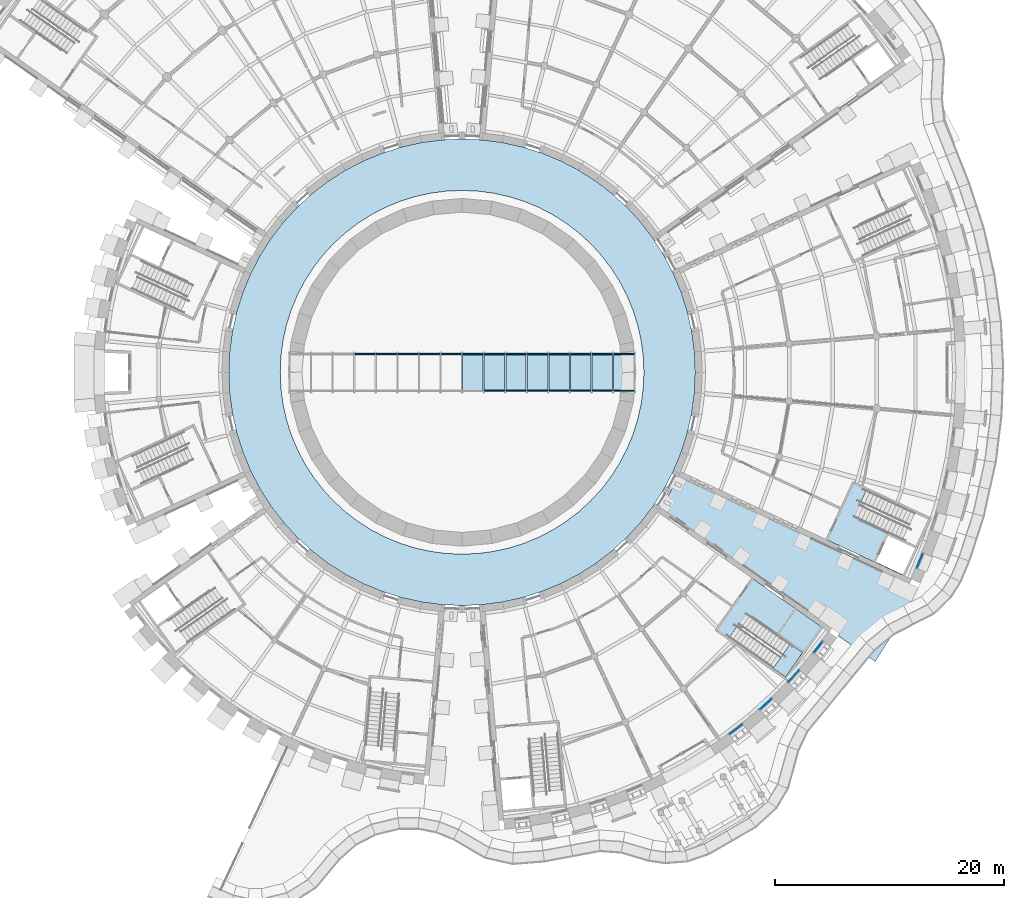
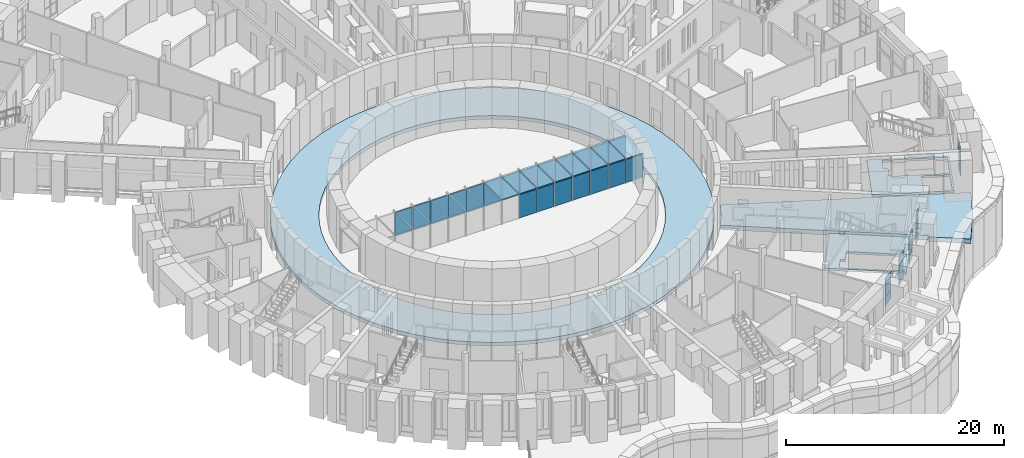
# One storey, part 34 of 85: 43 plates, 5 slabs, 7 elements without a shape of their own.
"""IFC4 building model written with IfcOpenShell, lengths in metres."""

from ifc_helpers import new_model, si_unit, direction, frame, origin, origin_2d, place, context, subcontext, project, spatial, polyline, rectangle, outline, extrude, material, layer, layer_set, type_object, element, aggregate, save


model = new_model("IFC4")

# Units and contexts
model_context = context("Model", 3, precision=1e-05, world=origin(), true_north=direction((0.0, 1.0)))
body_context = subcontext(model_context, "Body", "Model", "MODEL_VIEW")
ifc_project = project(units=[si_unit("LENGTHUNIT", "METRE"), si_unit("AREAUNIT", "SQUARE_METRE"), si_unit("VOLUMEUNIT", "CUBIC_METRE"), si_unit("PLANEANGLEUNIT", "RADIAN"), si_unit("MASSUNIT", "GRAM", prefix="KILO")], contexts=[model_context])

# Site, building, storey
site_placement = place(None, origin())
site = spatial("IfcSite", under=ifc_project, at=site_placement, CompositionType="ELEMENT")
building_placement = place(site_placement, origin())
building = spatial("IfcBuilding", under=site, at=building_placement, Name="Volute Hill Aquarium", CompositionType="ELEMENT")
storey_placement = place(building_placement, origin())
storey = spatial("IfcBuildingStorey", under=building, at=storey_placement, Name="L01", CompositionType="ELEMENT", Elevation=0.0)

# Slabs
ifc_material_1 = material(Name="Concrete C30/37", Category="concrete")
ifc_layer_1 = layer(ifc_material_1, 0.25)
ifc_layer_set_1 = layer_set([ifc_layer_1], Name="Core floor slab 250")
slab_type_1 = type_object("IfcSlabType", Name="Core floor slab 250", PredefinedType="FLOOR", material=ifc_layer_set_1)
slab_1_placement = place(storey_placement, frame((0.0, 0.0, -0.25)))
element("IfcSlab", 1, at=slab_1_placement, inside=storey, type_object=slab_type_1, Name="cs/S3-B/L01", PredefinedType="FLOOR", context=body_context, shape_type="SweptSolid", body=[
    extrude(outline(polyline([(22.10791015625, -22.560546875), (28.33349609375, -26.919921875), (31.54541015625, -22.33251953125), (25.320068359375, -17.973388671875), (22.10791015625, -22.560546875)]), holes=[polyline([(25.2294921875, -21.328125), (29.775634765625, -24.511474609375), (28.284423828125, -26.641357421875), (23.37109375, -23.200927734375), (24.11669921875, -22.135986328125), (24.483642578125, -22.39306640625), (25.2294921875, -21.328125)])]), origin(), (0.0, 0.0, 1.0), 0.25),
])
slab_2_placement = place(storey_placement, frame((0.0, 0.0, -0.25)))
element("IfcSlab", 2, at=slab_2_placement, inside=storey, type_object=slab_type_1, Name="cs/S4-A/L01", PredefinedType="FLOOR", context=body_context, shape_type="SweptSolid", body=[
    extrude(outline(polyline([(31.805419921875, -14.6103515625), (38.693115234375, -17.822265625), (41.059814453125, -12.7470703125), (34.172119140625, -9.53515625), (31.805419921875, -14.6103515625)]), holes=[polyline([(37.25439453125, -14.282470703125), (39.61083984375, -15.38134765625), (38.533203125, -17.6923828125), (36.1767578125, -16.593505859375), (37.25439453125, -14.282470703125)]), polyline([(35.214599609375, -11.676513671875), (34.80859375, -11.487060546875), (35.358154296875, -10.308837890625), (40.794189453125, -12.84375), (39.6953125, -15.2001953125), (34.665283203125, -12.8544921875), (35.214599609375, -11.676513671875)])]), origin(), (0.0, 0.0, 1.0), 0.25),
])

# Curtain wall, plates
ifc_material_2 = material(Name="Aluminium", Category="aluminium")
ifc_layer_2 = layer(ifc_material_2, 0.25)
ifc_layer_set_2 = layer_set([ifc_layer_2], Name="Curtain wall niche S3 module 1489")
curtain_wall_type_1 = type_object("IfcCurtainWallType", Name="Curtain wall niche S3 module 1489", PredefinedType="NOTDEFINED", material=ifc_layer_set_2)
curtain_wall_1_placement = place(storey_placement, origin())
curtain_wall_1 = element("IfcCurtainWall", 3, at=curtain_wall_1_placement, inside=storey, type_object=curtain_wall_type_1, Name="Curtain wall CW S3 L01 7", PredefinedType="NOTDEFINED")
ifc_material_3 = material(Name="Glass, low-iron laminated", Category="glass")
ifc_layer_3 = layer(ifc_material_3, 0.028076171875)
ifc_layer_set_3 = layer_set([ifc_layer_3], Name="Curtain wall glass panel S3 28")
plate_type_1 = type_object("IfcPlateType", Name="Curtain wall glass panel S3 28", PredefinedType="CURTAIN_PANEL", material=ifc_layer_set_3)
plate_1_placement = place(storey_placement, frame((23.947021484375, -31.208251953125, 0.81005859375), z_axis=(0.0, 0.0, 1.0), x_axis=(0.793364531663, 0.608746843851, 0.0)))
plate_1 = element("IfcPlate", 4, at=plate_1_placement, type_object=plate_type_1, Name="CW panel 1.1", PredefinedType="CURTAIN_PANEL", context=body_context, shape_type="SweptSolid", body=[
    extrude(rectangle(XDim=1.369140625, YDim=0.028076171875, at=origin_2d()), origin(), (0.0, 0.0, 1.0), 0.993408203125),
])
plate_2_placement = place(storey_placement, frame((23.947021484375, -31.208251953125, 1.86328125), z_axis=(0.0, 0.0, 1.0), x_axis=(0.793364531663, 0.608746843851, 0.0)))
plate_2 = element("IfcPlate", 5, at=plate_2_placement, type_object=plate_type_1, Name="CW panel 1.2", PredefinedType="CURTAIN_PANEL", context=body_context, shape_type="SweptSolid", body=[
    extrude(rectangle(XDim=1.369140625, YDim=0.028076171875, at=origin_2d()), origin(), (0.0, 0.0, 1.0), 1.0234375),
])
plate_3_placement = place(storey_placement, frame((23.947021484375, -31.208251953125, 2.94677734375), z_axis=(0.0, 0.0, 1.0), x_axis=(0.793364531663, 0.608746843851, 0.0)))
plate_3 = element("IfcPlate", 6, at=plate_3_placement, type_object=plate_type_1, Name="CW panel 1.3", PredefinedType="CURTAIN_PANEL", context=body_context, shape_type="SweptSolid", body=[
    extrude(rectangle(XDim=1.369140625, YDim=0.028076171875, at=origin_2d()), origin(), (0.0, 0.0, 1.0), 0.993408203125),
])
aggregate(curtain_wall_1, [plate_1, plate_2, plate_3])

curtain_wall_2_placement = place(storey_placement, origin())
curtain_wall_2 = element("IfcCurtainWall", 7, at=curtain_wall_2_placement, inside=storey, type_object=curtain_wall_type_1, Name="Curtain wall CW S3 L01 8", PredefinedType="NOTDEFINED")
plate_4_placement = place(storey_placement, frame((26.57568359375, -29.00244140625, 1.86328125), z_axis=(0.0, 0.0, 1.0), x_axis=(0.73725642731, 0.675613025622, 0.0)))
plate_4 = element("IfcPlate", 8, at=plate_4_placement, type_object=plate_type_1, Name="CW panel 1.2", PredefinedType="CURTAIN_PANEL", context=body_context, shape_type="SweptSolid", body=[
    extrude(rectangle(XDim=1.369140625, YDim=0.028076171875, at=origin_2d()), origin(), (0.0, 0.0, 1.0), 1.0234375),
])
plate_5_placement = place(storey_placement, frame((26.57568359375, -29.00244140625, 2.94677734375), z_axis=(0.0, 0.0, 1.0), x_axis=(0.73725642731, 0.675613025622, 0.0)))
plate_5 = element("IfcPlate", 9, at=plate_5_placement, type_object=plate_type_1, Name="CW panel 1.3", PredefinedType="CURTAIN_PANEL", context=body_context, shape_type="SweptSolid", body=[
    extrude(rectangle(XDim=1.369140625, YDim=0.028076171875, at=origin_2d()), origin(), (0.0, 0.0, 1.0), 0.993408203125),
])

curtain_wall_3_placement = place(storey_placement, origin())
curtain_wall_3 = element("IfcCurtainWall", 10, at=curtain_wall_3_placement, inside=storey, type_object=curtain_wall_type_1, Name="Curtain wall CW S3 L01 9", PredefinedType="NOTDEFINED")
plate_6_placement = place(storey_placement, frame((29.00244140625, -26.575927734375, 0.81005859375), z_axis=(0.0, 0.0, 1.0), x_axis=(0.675609375694, 0.737259772044, 0.0)))
plate_6 = element("IfcPlate", 11, at=plate_6_placement, type_object=plate_type_1, Name="CW panel 1.1", PredefinedType="CURTAIN_PANEL", context=body_context, shape_type="SweptSolid", body=[
    extrude(rectangle(XDim=1.369140625, YDim=0.028076171875, at=origin_2d()), origin(), (0.0, 0.0, 1.0), 0.993408203125),
])
plate_7_placement = place(storey_placement, frame((29.00244140625, -26.575927734375, 1.86328125), z_axis=(0.0, 0.0, 1.0), x_axis=(0.675609375694, 0.737259772044, 0.0)))
plate_7 = element("IfcPlate", 12, at=plate_7_placement, type_object=plate_type_1, Name="CW panel 1.2", PredefinedType="CURTAIN_PANEL", context=body_context, shape_type="SweptSolid", body=[
    extrude(rectangle(XDim=1.369140625, YDim=0.028076171875, at=origin_2d()), origin(), (0.0, 0.0, 1.0), 1.0234375),
])
plate_8_placement = place(storey_placement, frame((29.00244140625, -26.575927734375, 2.94677734375), z_axis=(0.0, 0.0, 1.0), x_axis=(0.675609375694, 0.737259772044, 0.0)))
plate_8 = element("IfcPlate", 13, at=plate_8_placement, type_object=plate_type_1, Name="CW panel 1.3", PredefinedType="CURTAIN_PANEL", context=body_context, shape_type="SweptSolid", body=[
    extrude(rectangle(XDim=1.369140625, YDim=0.028076171875, at=origin_2d()), origin(), (0.0, 0.0, 1.0), 0.993408203125),
])
aggregate(curtain_wall_3, [plate_6, plate_7, plate_8])

ifc_material_4 = material(Name="Aluminium", Category="aluminium")
ifc_layer_4 = layer(ifc_material_4, 0.25)
ifc_layer_set_4 = layer_set([ifc_layer_4], Name="Curtain wall niche S3 module 1289")
curtain_wall_type_2 = type_object("IfcCurtainWallType", Name="Curtain wall niche S3 module 1289", PredefinedType="NOTDEFINED", material=ifc_layer_set_4)
curtain_wall_4_placement = place(storey_placement, origin())
curtain_wall_4 = element("IfcCurtainWall", 14, at=curtain_wall_4_placement, inside=storey, type_object=curtain_wall_type_2, Name="Curtain wall CW S3 L01 10", PredefinedType="NOTDEFINED")
plate_9_placement = place(storey_placement, frame((31.1474609375, -24.0263671875, 1.86328125), z_axis=(0.0, 0.0, 1.0), x_axis=(0.608745324064, 0.79336569779, 0.0)))
plate_9 = element("IfcPlate", 15, at=plate_9_placement, type_object=plate_type_1, Name="CW panel 1.2", PredefinedType="CURTAIN_PANEL", context=body_context, shape_type="SweptSolid", body=[
    extrude(rectangle(XDim=1.169189453125, YDim=0.028076171875, at=origin_2d()), origin(), (0.0, 0.0, 1.0), 1.0234375),
])
plate_10_placement = place(storey_placement, frame((31.1474609375, -24.0263671875, 2.94677734375), z_axis=(0.0, 0.0, 1.0), x_axis=(0.608745324064, 0.79336569779, 0.0)))
plate_10 = element("IfcPlate", 16, at=plate_10_placement, type_object=plate_type_1, Name="CW panel 1.3", PredefinedType="CURTAIN_PANEL", context=body_context, shape_type="SweptSolid", body=[
    extrude(rectangle(XDim=1.169189453125, YDim=0.028076171875, at=origin_2d()), origin(), (0.0, 0.0, 1.0), 0.993408203125),
])

ifc_material_5 = material(Name="Aluminium", Category="aluminium")
ifc_layer_5 = layer(ifc_material_5, 0.25)
ifc_layer_set_5 = layer_set([ifc_layer_5], Name="Curtain wall niche S4 module 1437")
curtain_wall_type_3 = type_object("IfcCurtainWallType", Name="Curtain wall niche S4 module 1437", PredefinedType="NOTDEFINED", material=ifc_layer_set_5)
curtain_wall_5_placement = place(storey_placement, origin())
curtain_wall_5 = element("IfcCurtainWall", 17, at=curtain_wall_5_placement, inside=storey, type_object=curtain_wall_type_3, Name="Curtain wall CW S4 L01 1", PredefinedType="NOTDEFINED")
ifc_material_6 = material(Name="Glass, low-iron laminated", Category="glass")
ifc_layer_6 = layer(ifc_material_6, 0.028076171875)
ifc_layer_set_6 = layer_set([ifc_layer_6], Name="Curtain wall glass panel S4 28")
plate_type_2 = type_object("IfcPlateType", Name="Curtain wall glass panel S4 28", PredefinedType="CURTAIN_PANEL", material=ifc_layer_set_6)
plate_11_placement = place(storey_placement, frame((40.027099609375, -16.471435546875, 0.81005859375), z_axis=(0.0, 0.0, 1.0), x_axis=(0.38269714514, 0.923873852375, 0.0)))
plate_11 = element("IfcPlate", 18, at=plate_11_placement, type_object=plate_type_2, Name="CW panel 1.1", PredefinedType="CURTAIN_PANEL", context=body_context, shape_type="SweptSolid", body=[
    extrude(rectangle(XDim=1.317138671875, YDim=0.028076171875, at=origin_2d()), origin(), (0.0, 0.0, 1.0), 0.993408203125),
])
plate_12_placement = place(storey_placement, frame((40.027099609375, -16.471435546875, 1.86328125), z_axis=(0.0, 0.0, 1.0), x_axis=(0.38269714514, 0.923873852375, 0.0)))
plate_12 = element("IfcPlate", 19, at=plate_12_placement, type_object=plate_type_2, Name="CW panel 1.2", PredefinedType="CURTAIN_PANEL", context=body_context, shape_type="SweptSolid", body=[
    extrude(rectangle(XDim=1.317138671875, YDim=0.028076171875, at=origin_2d()), origin(), (0.0, 0.0, 1.0), 1.0234375),
])
plate_13_placement = place(storey_placement, frame((40.027099609375, -16.471435546875, 2.94677734375), z_axis=(0.0, 0.0, 1.0), x_axis=(0.38269714514, 0.923873852375, 0.0)))
plate_13 = element("IfcPlate", 20, at=plate_13_placement, type_object=plate_type_2, Name="CW panel 1.3", PredefinedType="CURTAIN_PANEL", context=body_context, shape_type="SweptSolid", body=[
    extrude(rectangle(XDim=1.317138671875, YDim=0.028076171875, at=origin_2d()), origin(), (0.0, 0.0, 1.0), 0.993408203125),
])
aggregate(curtain_wall_5, [plate_11, plate_12, plate_13])

# Plate
ifc_material_7 = material(Name="Aluminium", Category="aluminium")
ifc_layer_7 = layer(ifc_material_7, 0.06005859375)
ifc_layer_set_7 = layer_set([ifc_layer_7], Name="Curtain wall insulated spandrel panel 60")
plate_type_3 = type_object("IfcPlateType", Name="Curtain wall insulated spandrel panel 60", PredefinedType="CURTAIN_PANEL", material=ifc_layer_set_7)
plate_14_placement = place(storey_placement, frame((26.57568359375, -29.00244140625, 0.81005859375), z_axis=(0.0, 0.0, 1.0), x_axis=(0.73725642731, 0.675613025622, 0.0)))
plate_14 = element("IfcPlate", 21, at=plate_14_placement, type_object=plate_type_3, Name="CW panel 1.1", PredefinedType="CURTAIN_PANEL", context=body_context, shape_type="SweptSolid", body=[
    extrude(rectangle(XDim=1.369140625, YDim=0.06005859375, at=origin_2d()), origin(), (0.0, 0.0, 1.0), 0.993408203125),
])

aggregate(curtain_wall_2, [plate_14, plate_4, plate_5])

plate_15_placement = place(storey_placement, frame((31.1474609375, -24.0263671875, 0.81005859375), z_axis=(0.0, 0.0, 1.0), x_axis=(0.608745324064, 0.79336569779, 0.0)))
plate_15 = element("IfcPlate", 22, at=plate_15_placement, type_object=plate_type_3, Name="CW panel 1.1", PredefinedType="CURTAIN_PANEL", context=body_context, shape_type="SweptSolid", body=[
    extrude(rectangle(XDim=1.169189453125, YDim=0.06005859375, at=origin_2d()), origin(), (0.0, 0.0, 1.0), 0.993408203125),
])

aggregate(curtain_wall_4, [plate_15, plate_9, plate_10])

# Slabs
ifc_material_8 = material(Name="Concrete C35/45", Category="concrete")
ifc_layer_8 = layer(ifc_material_8, 0.39990234375)
ifc_layer_set_8 = layer_set([ifc_layer_8], Name="Gallery annulus slab C35/45 400")
slab_type_2 = type_object("IfcSlabType", Name="Gallery annulus slab C35/45 400", PredefinedType="FLOOR", material=ifc_layer_set_8)
slab_3_placement = place(storey_placement, frame((0.0, 0.0, -0.39990234375)))
element("IfcSlab", 23, at=slab_3_placement, inside=storey, type_object=slab_type_2, Name="fl/DR/L01/2", PredefinedType="FLOOR", context=body_context, shape_type="SweptSolid", body=[
    extrude(outline(polyline([(20.39990234375, 0.0), (20.322509765625, 1.778076171875), (20.090087890625, 3.54248046875), (19.704833984375, 5.27978515625), (19.169677734375, 6.977294921875), (18.48876953125, 8.621337890625), (17.6669921875, 10.199951171875), (16.710693359375, 11.700927734375), (15.627197265625, 13.11279296875), (14.425048828125, 14.425048828125), (13.11279296875, 15.627197265625), (11.700927734375, 16.710693359375), (10.199951171875, 17.6669921875), (8.621337890625, 18.48876953125), (6.977294921875, 19.169677734375), (5.27978515625, 19.704833984375), (3.54248046875, 20.090087890625), (1.778076171875, 20.322509765625), (0.0, 20.39990234375), (-1.778076171875, 20.322509765625), (-3.54248046875, 20.090087890625), (-5.27978515625, 19.704833984375), (-6.977294921875, 19.169677734375), (-8.621337890625, 18.48876953125), (-10.199951171875, 17.6669921875), (-11.700927734375, 16.710693359375), (-13.11279296875, 15.627197265625), (-14.425048828125, 14.425048828125), (-15.627197265625, 13.11279296875), (-16.710693359375, 11.700927734375), (-17.6669921875, 10.199951171875), (-18.48876953125, 8.621337890625), (-19.169677734375, 6.977294921875), (-19.704833984375, 5.27978515625), (-20.090087890625, 3.54248046875), (-20.322509765625, 1.778076171875), (-20.39990234375, 0.0), (-20.322509765625, -1.778076171875), (-20.090087890625, -3.54248046875), (-19.704833984375, -5.27978515625), (-19.169677734375, -6.977294921875), (-18.48876953125, -8.621337890625), (-17.6669921875, -10.199951171875), (-16.710693359375, -11.700927734375), (-15.627197265625, -13.11279296875), (-14.425048828125, -14.425048828125), (-13.11279296875, -15.627197265625), (-11.700927734375, -16.710693359375), (-10.199951171875, -17.6669921875), (-8.621337890625, -18.48876953125), (-6.977294921875, -19.169677734375), (-5.27978515625, -19.704833984375), (-3.54248046875, -20.090087890625), (-1.778076171875, -20.322509765625), (0.0, -20.39990234375), (1.778076171875, -20.322509765625), (3.54248046875, -20.090087890625), (5.27978515625, -19.704833984375), (6.977294921875, -19.169677734375), (8.621337890625, -18.48876953125), (10.199951171875, -17.6669921875), (11.700927734375, -16.710693359375), (13.11279296875, -15.627197265625), (14.425048828125, -14.425048828125), (15.627197265625, -13.11279296875), (16.710693359375, -11.700927734375), (17.6669921875, -10.199951171875), (18.48876953125, -8.621337890625), (19.169677734375, -6.977294921875), (19.704833984375, -5.27978515625), (20.090087890625, -3.54248046875), (20.322509765625, -1.778076171875), (20.39990234375, 0.0)]), holes=[polyline([(15.89990234375, 0.0), (15.839599609375, 1.3857421875), (15.658447265625, 2.760986328125), (15.358154296875, 4.115234375), (14.941162109375, 5.43798828125), (14.410400390625, 6.719482421875), (13.769775390625, 7.949951171875), (13.0244140625, 9.119873046875), (12.18017578125, 10.22021484375), (11.242919921875, 11.242919921875), (10.22021484375, 12.18017578125), (9.119873046875, 13.0244140625), (7.949951171875, 13.769775390625), (6.719482421875, 14.410400390625), (5.43798828125, 14.941162109375), (4.115234375, 15.358154296875), (2.760986328125, 15.658447265625), (1.3857421875, 15.839599609375), (0.0, 15.89990234375), (-1.3857421875, 15.839599609375), (-2.760986328125, 15.658447265625), (-4.115234375, 15.358154296875), (-5.43798828125, 14.941162109375), (-6.719482421875, 14.410400390625), (-7.949951171875, 13.769775390625), (-9.119873046875, 13.0244140625), (-10.22021484375, 12.18017578125), (-11.242919921875, 11.242919921875), (-12.18017578125, 10.22021484375), (-13.0244140625, 9.119873046875), (-13.769775390625, 7.949951171875), (-14.410400390625, 6.719482421875), (-14.941162109375, 5.43798828125), (-15.358154296875, 4.115234375), (-15.658447265625, 2.760986328125), (-15.839599609375, 1.3857421875), (-15.89990234375, 0.0), (-15.839599609375, -1.3857421875), (-15.658447265625, -2.760986328125), (-15.358154296875, -4.115234375), (-14.941162109375, -5.43798828125), (-14.410400390625, -6.719482421875), (-13.769775390625, -7.949951171875), (-13.0244140625, -9.119873046875), (-12.18017578125, -10.22021484375), (-11.242919921875, -11.242919921875), (-10.22021484375, -12.18017578125), (-9.119873046875, -13.0244140625), (-7.949951171875, -13.769775390625), (-6.719482421875, -14.410400390625), (-5.43798828125, -14.941162109375), (-4.115234375, -15.358154296875), (-2.760986328125, -15.658447265625), (-1.3857421875, -15.839599609375), (0.0, -15.89990234375), (1.3857421875, -15.839599609375), (2.760986328125, -15.658447265625), (4.115234375, -15.358154296875), (5.43798828125, -14.941162109375), (6.719482421875, -14.410400390625), (7.949951171875, -13.769775390625), (9.119873046875, -13.0244140625), (10.22021484375, -12.18017578125), (11.242919921875, -11.242919921875), (12.18017578125, -10.22021484375), (13.0244140625, -9.119873046875), (13.769775390625, -7.949951171875), (14.410400390625, -6.719482421875), (14.941162109375, -5.43798828125), (15.358154296875, -4.115234375), (15.658447265625, -2.760986328125), (15.839599609375, -1.3857421875), (15.89990234375, 0.0)])]), origin(), (0.0, 0.0, 1.0), 0.39990234375),
])
ifc_material_9 = material(Name="Concrete C30/37", Category="concrete")
ifc_layer_9 = layer(ifc_material_9, 0.5)
ifc_layer_set_9 = layer_set([ifc_layer_9], Name="Site paving build-up C30/37 500")
slab_type_3 = type_object("IfcSlabType", Name="Site paving build-up C30/37 500", PredefinedType="BASESLAB", material=ifc_layer_set_9)
slab_4_placement = place(storey_placement, frame((0.0, 0.0, -0.5)))
element("IfcSlab", 24, at=slab_4_placement, inside=storey, type_object=slab_type_3, Name="pv/SC4/L01/0", PredefinedType="BASESLAB", context=body_context, shape_type="SweptSolid", body=[
    extrude(outline(polyline([(32.888916015625, -23.029052734375), (36.12451171875, -25.294677734375), (38.191650390625, -22.050048828125), (39.875732421875, -18.81494140625), (18.93994140625, -9.052490234375), (18.1865234375, -10.5), (17.309814453125, -11.876220703125), (33.003662109375, -22.865234375), (32.888916015625, -23.029052734375)])), origin(), (0.0, 0.0, 1.0), 0.5),
])

# Stair, slab
ifc_material_10 = material(Name="Concrete C35/45", Category="concrete")
stair_type = type_object("IfcStairType", Name="Stair C35/45", PredefinedType="HALF_TURN_STAIR", material=ifc_material_10)
stair_placement = place(storey_placement, origin())
stair = element("IfcStair", 25, at=stair_placement, inside=storey, type_object=stair_type, Name="ST/S3-B/L01", PredefinedType="HALF_TURN_STAIR")
ifc_material_11 = material(Name="Concrete C35/45", Category="concrete")
ifc_layer_10 = layer(ifc_material_11, 0.199951171875)
ifc_layer_set_10 = layer_set([ifc_layer_10], Name="Stair landing C35/45 200")
slab_type_4 = type_object("IfcSlabType", Name="Stair landing C35/45 200", PredefinedType="LANDING", material=ifc_layer_set_10)
slab_5_placement = place(storey_placement, frame((0.0, 0.0, 2.10009765625)))
slab_5 = element("IfcSlab", 26, at=slab_5_placement, type_object=slab_type_4, Name="ST-S3-B-01 landing 1", PredefinedType="LANDING", context=body_context, shape_type="SweptSolid", body=[
    extrude(outline(polyline([(27.201416015625, -25.883056640625), (28.284423828125, -26.641357421875), (29.775634765625, -24.511474609375), (28.692626953125, -23.753173828125), (27.201416015625, -25.883056640625)])), origin(), (0.0, 0.0, 1.0), 0.199951171875),
])
aggregate(stair, [slab_5])

# Curtain wall, plates
ifc_material_12 = material(Name="Acrylic PMMA")
curtain_wall_type_4 = type_object("IfcCurtainWallType", Name="Viewing tunnel acrylic assembly", PredefinedType="NOTDEFINED", material=ifc_material_12)
curtain_wall_6_placement = place(storey_placement, origin())
curtain_wall_6 = element("IfcCurtainWall", 27, at=curtain_wall_6_placement, inside=storey, type_object=curtain_wall_type_4, Name="Viewing tunnel acrylic assembly", PredefinedType="NOTDEFINED")
ifc_material_13 = material(Name="Acrylic PMMA")
ifc_layer_11 = layer(ifc_material_13, 0.1201171875)
ifc_layer_set_11 = layer_set([ifc_layer_11], Name="Tunnel acrylic side panel 120")
plate_type_4 = type_object("IfcPlateType", Name="Tunnel acrylic side panel 120", PredefinedType="CURTAIN_PANEL", material=ifc_layer_set_11)
plate_16_placement = place(storey_placement, frame((-8.488037109375, 1.610107421875, 0.0), z_axis=(0.0, 0.0, 1.0), x_axis=(1.0, 0.0, 0.0)))
plate_16 = element("IfcPlate", 28, at=plate_16_placement, type_object=plate_type_4, Name="Tunnel acrylic panel 4B", PredefinedType="CURTAIN_PANEL", context=body_context, shape_type="SweptSolid", body=[
    extrude(rectangle(XDim=1.7861328125, YDim=0.1201171875, at=origin_2d()), origin(), (0.0, 0.0, 1.0), 2.60009765625),
])
plate_17_placement = place(storey_placement, frame((-6.601806640625, 1.610107421875, 0.0), z_axis=(0.0, 0.0, 1.0), x_axis=(1.0, 0.0, 0.0)))
plate_17 = element("IfcPlate", 29, at=plate_17_placement, type_object=plate_type_4, Name="Tunnel acrylic panel 5B", PredefinedType="CURTAIN_PANEL", context=body_context, shape_type="SweptSolid", body=[
    extrude(rectangle(XDim=1.7861328125, YDim=0.1201171875, at=origin_2d()), origin(), (0.0, 0.0, 1.0), 2.60009765625),
])
plate_18_placement = place(storey_placement, frame((-4.715576171875, 1.610107421875, 0.0), z_axis=(0.0, 0.0, 1.0), x_axis=(1.0, 0.0, 0.0)))
plate_18 = element("IfcPlate", 30, at=plate_18_placement, type_object=plate_type_4, Name="Tunnel acrylic panel 6B", PredefinedType="CURTAIN_PANEL", context=body_context, shape_type="SweptSolid", body=[
    extrude(rectangle(XDim=1.7861328125, YDim=0.1201171875, at=origin_2d()), origin(), (0.0, 0.0, 1.0), 2.60009765625),
])
plate_19_placement = place(storey_placement, frame((-2.829345703125, 1.610107421875, 0.0), z_axis=(0.0, 0.0, 1.0), x_axis=(1.0, 0.0, 0.0)))
plate_19 = element("IfcPlate", 31, at=plate_19_placement, type_object=plate_type_4, Name="Tunnel acrylic panel 7B", PredefinedType="CURTAIN_PANEL", context=body_context, shape_type="SweptSolid", body=[
    extrude(rectangle(XDim=1.7861328125, YDim=0.1201171875, at=origin_2d()), origin(), (0.0, 0.0, 1.0), 2.60009765625),
])
plate_20_placement = place(storey_placement, frame((-0.943115234375, 1.610107421875, 0.0), z_axis=(0.0, 0.0, 1.0), x_axis=(1.0, 0.0, 0.0)))
plate_20 = element("IfcPlate", 32, at=plate_20_placement, type_object=plate_type_4, Name="Tunnel acrylic panel 8B", PredefinedType="CURTAIN_PANEL", context=body_context, shape_type="SweptSolid", body=[
    extrude(rectangle(XDim=1.7861328125, YDim=0.1201171875, at=origin_2d()), origin(), (0.0, 0.0, 1.0), 2.60009765625),
])
plate_21_placement = place(storey_placement, frame((0.943115234375, 1.610107421875, 0.0), z_axis=(0.0, 0.0, 1.0), x_axis=(1.0, 0.0, 0.0)))
plate_21 = element("IfcPlate", 33, at=plate_21_placement, type_object=plate_type_4, Name="Tunnel acrylic panel 9B", PredefinedType="CURTAIN_PANEL", context=body_context, shape_type="SweptSolid", body=[
    extrude(rectangle(XDim=1.7861328125, YDim=0.1201171875, at=origin_2d()), origin(), (0.0, 0.0, 1.0), 2.60009765625),
])
plate_22_placement = place(storey_placement, frame((0.943115234375, 0.0, 2.599853515625), z_axis=(0.0, 0.0, 1.0), x_axis=(1.0, 0.0, 0.0)))
plate_22 = element("IfcPlate", 34, at=plate_22_placement, type_object=plate_type_4, Name="Tunnel acrylic roof panel 9", PredefinedType="CURTAIN_PANEL", context=body_context, shape_type="SweptSolid", body=[
    extrude(rectangle(XDim=1.7861328125, YDim=3.340087890625, at=origin_2d()), origin(), (0.0, 0.0, 1.0), 0.1201171875),
])
plate_23_placement = place(storey_placement, frame((2.829345703125, -1.610107421875, 0.0), z_axis=(0.0, 0.0, 1.0), x_axis=(1.0, 0.0, 0.0)))
plate_23 = element("IfcPlate", 35, at=plate_23_placement, type_object=plate_type_4, Name="Tunnel acrylic panel 10A", PredefinedType="CURTAIN_PANEL", context=body_context, shape_type="SweptSolid", body=[
    extrude(rectangle(XDim=1.7861328125, YDim=0.1201171875, at=origin_2d()), origin(), (0.0, 0.0, 1.0), 2.60009765625),
])
plate_24_placement = place(storey_placement, frame((2.829345703125, 1.610107421875, 0.0), z_axis=(0.0, 0.0, 1.0), x_axis=(1.0, 0.0, 0.0)))
plate_24 = element("IfcPlate", 36, at=plate_24_placement, type_object=plate_type_4, Name="Tunnel acrylic panel 10B", PredefinedType="CURTAIN_PANEL", context=body_context, shape_type="SweptSolid", body=[
    extrude(rectangle(XDim=1.7861328125, YDim=0.1201171875, at=origin_2d()), origin(), (0.0, 0.0, 1.0), 2.60009765625),
])
plate_25_placement = place(storey_placement, frame((2.829345703125, 0.0, 2.599853515625), z_axis=(0.0, 0.0, 1.0), x_axis=(1.0, 0.0, 0.0)))
plate_25 = element("IfcPlate", 37, at=plate_25_placement, type_object=plate_type_4, Name="Tunnel acrylic roof panel 10", PredefinedType="CURTAIN_PANEL", context=body_context, shape_type="SweptSolid", body=[
    extrude(rectangle(XDim=1.7861328125, YDim=3.340087890625, at=origin_2d()), origin(), (0.0, 0.0, 1.0), 0.1201171875),
])
plate_26_placement = place(storey_placement, frame((4.715576171875, -1.610107421875, 0.0), z_axis=(0.0, 0.0, 1.0), x_axis=(1.0, 0.0, 0.0)))
plate_26 = element("IfcPlate", 38, at=plate_26_placement, type_object=plate_type_4, Name="Tunnel acrylic panel 11A", PredefinedType="CURTAIN_PANEL", context=body_context, shape_type="SweptSolid", body=[
    extrude(rectangle(XDim=1.7861328125, YDim=0.1201171875, at=origin_2d()), origin(), (0.0, 0.0, 1.0), 2.60009765625),
])
plate_27_placement = place(storey_placement, frame((4.715576171875, 1.610107421875, 0.0), z_axis=(0.0, 0.0, 1.0), x_axis=(1.0, 0.0, 0.0)))
plate_27 = element("IfcPlate", 39, at=plate_27_placement, type_object=plate_type_4, Name="Tunnel acrylic panel 11B", PredefinedType="CURTAIN_PANEL", context=body_context, shape_type="SweptSolid", body=[
    extrude(rectangle(XDim=1.7861328125, YDim=0.1201171875, at=origin_2d()), origin(), (0.0, 0.0, 1.0), 2.60009765625),
])
plate_28_placement = place(storey_placement, frame((4.715576171875, 0.0, 2.599853515625), z_axis=(0.0, 0.0, 1.0), x_axis=(1.0, 0.0, 0.0)))
plate_28 = element("IfcPlate", 40, at=plate_28_placement, type_object=plate_type_4, Name="Tunnel acrylic roof panel 11", PredefinedType="CURTAIN_PANEL", context=body_context, shape_type="SweptSolid", body=[
    extrude(rectangle(XDim=1.7861328125, YDim=3.340087890625, at=origin_2d()), origin(), (0.0, 0.0, 1.0), 0.1201171875),
])
plate_29_placement = place(storey_placement, frame((6.601806640625, -1.610107421875, 0.0), z_axis=(0.0, 0.0, 1.0), x_axis=(1.0, 0.0, 0.0)))
plate_29 = element("IfcPlate", 41, at=plate_29_placement, type_object=plate_type_4, Name="Tunnel acrylic panel 12A", PredefinedType="CURTAIN_PANEL", context=body_context, shape_type="SweptSolid", body=[
    extrude(rectangle(XDim=1.7861328125, YDim=0.1201171875, at=origin_2d()), origin(), (0.0, 0.0, 1.0), 2.60009765625),
])
plate_30_placement = place(storey_placement, frame((6.601806640625, 1.610107421875, 0.0), z_axis=(0.0, 0.0, 1.0), x_axis=(1.0, 0.0, 0.0)))
plate_30 = element("IfcPlate", 42, at=plate_30_placement, type_object=plate_type_4, Name="Tunnel acrylic panel 12B", PredefinedType="CURTAIN_PANEL", context=body_context, shape_type="SweptSolid", body=[
    extrude(rectangle(XDim=1.7861328125, YDim=0.1201171875, at=origin_2d()), origin(), (0.0, 0.0, 1.0), 2.60009765625),
])
plate_31_placement = place(storey_placement, frame((6.601806640625, 0.0, 2.599853515625), z_axis=(0.0, 0.0, 1.0), x_axis=(1.0, 0.0, 0.0)))
plate_31 = element("IfcPlate", 43, at=plate_31_placement, type_object=plate_type_4, Name="Tunnel acrylic roof panel 12", PredefinedType="CURTAIN_PANEL", context=body_context, shape_type="SweptSolid", body=[
    extrude(rectangle(XDim=1.7861328125, YDim=3.340087890625, at=origin_2d()), origin(), (0.0, 0.0, 1.0), 0.1201171875),
])
plate_32_placement = place(storey_placement, frame((8.488037109375, -1.610107421875, 0.0), z_axis=(0.0, 0.0, 1.0), x_axis=(1.0, 0.0, 0.0)))
plate_32 = element("IfcPlate", 44, at=plate_32_placement, type_object=plate_type_4, Name="Tunnel acrylic panel 13A", PredefinedType="CURTAIN_PANEL", context=body_context, shape_type="SweptSolid", body=[
    extrude(rectangle(XDim=1.7861328125, YDim=0.1201171875, at=origin_2d()), origin(), (0.0, 0.0, 1.0), 2.60009765625),
])
plate_33_placement = place(storey_placement, frame((8.488037109375, 1.610107421875, 0.0), z_axis=(0.0, 0.0, 1.0), x_axis=(1.0, 0.0, 0.0)))
plate_33 = element("IfcPlate", 45, at=plate_33_placement, type_object=plate_type_4, Name="Tunnel acrylic panel 13B", PredefinedType="CURTAIN_PANEL", context=body_context, shape_type="SweptSolid", body=[
    extrude(rectangle(XDim=1.7861328125, YDim=0.1201171875, at=origin_2d()), origin(), (0.0, 0.0, 1.0), 2.60009765625),
])
plate_34_placement = place(storey_placement, frame((8.488037109375, 0.0, 2.599853515625), z_axis=(0.0, 0.0, 1.0), x_axis=(1.0, 0.0, 0.0)))
plate_34 = element("IfcPlate", 46, at=plate_34_placement, type_object=plate_type_4, Name="Tunnel acrylic roof panel 13", PredefinedType="CURTAIN_PANEL", context=body_context, shape_type="SweptSolid", body=[
    extrude(rectangle(XDim=1.7861328125, YDim=3.340087890625, at=origin_2d()), origin(), (0.0, 0.0, 1.0), 0.1201171875),
])
plate_35_placement = place(storey_placement, frame((10.374267578125, -1.610107421875, 0.0), z_axis=(0.0, 0.0, 1.0), x_axis=(1.0, 0.0, 0.0)))
plate_35 = element("IfcPlate", 47, at=plate_35_placement, type_object=plate_type_4, Name="Tunnel acrylic panel 14A", PredefinedType="CURTAIN_PANEL", context=body_context, shape_type="SweptSolid", body=[
    extrude(rectangle(XDim=1.7861328125, YDim=0.1201171875, at=origin_2d()), origin(), (0.0, 0.0, 1.0), 2.60009765625),
])
plate_36_placement = place(storey_placement, frame((10.374267578125, 1.610107421875, 0.0), z_axis=(0.0, 0.0, 1.0), x_axis=(1.0, 0.0, 0.0)))
plate_36 = element("IfcPlate", 48, at=plate_36_placement, type_object=plate_type_4, Name="Tunnel acrylic panel 14B", PredefinedType="CURTAIN_PANEL", context=body_context, shape_type="SweptSolid", body=[
    extrude(rectangle(XDim=1.7861328125, YDim=0.1201171875, at=origin_2d()), origin(), (0.0, 0.0, 1.0), 2.60009765625),
])
plate_37_placement = place(storey_placement, frame((10.374267578125, 0.0, 2.599853515625), z_axis=(0.0, 0.0, 1.0), x_axis=(1.0, 0.0, 0.0)))
plate_37 = element("IfcPlate", 49, at=plate_37_placement, type_object=plate_type_4, Name="Tunnel acrylic roof panel 14", PredefinedType="CURTAIN_PANEL", context=body_context, shape_type="SweptSolid", body=[
    extrude(rectangle(XDim=1.7861328125, YDim=3.340087890625, at=origin_2d()), origin(), (0.0, 0.0, 1.0), 0.1201171875),
])
plate_38_placement = place(storey_placement, frame((12.2607421875, -1.610107421875, 0.0), z_axis=(0.0, 0.0, 1.0), x_axis=(1.0, 0.0, 0.0)))
plate_38 = element("IfcPlate", 50, at=plate_38_placement, type_object=plate_type_4, Name="Tunnel acrylic panel 15A", PredefinedType="CURTAIN_PANEL", context=body_context, shape_type="SweptSolid", body=[
    extrude(rectangle(XDim=1.7861328125, YDim=0.1201171875, at=origin_2d()), origin(), (0.0, 0.0, 1.0), 2.60009765625),
])
plate_39_placement = place(storey_placement, frame((12.2607421875, 1.610107421875, 0.0), z_axis=(0.0, 0.0, 1.0), x_axis=(1.0, 0.0, 0.0)))
plate_39 = element("IfcPlate", 51, at=plate_39_placement, type_object=plate_type_4, Name="Tunnel acrylic panel 15B", PredefinedType="CURTAIN_PANEL", context=body_context, shape_type="SweptSolid", body=[
    extrude(rectangle(XDim=1.7861328125, YDim=0.1201171875, at=origin_2d()), origin(), (0.0, 0.0, 1.0), 2.60009765625),
])
plate_40_placement = place(storey_placement, frame((12.2607421875, 0.0, 2.599853515625), z_axis=(0.0, 0.0, 1.0), x_axis=(1.0, 0.0, 0.0)))
plate_40 = element("IfcPlate", 52, at=plate_40_placement, type_object=plate_type_4, Name="Tunnel acrylic roof panel 15", PredefinedType="CURTAIN_PANEL", context=body_context, shape_type="SweptSolid", body=[
    extrude(rectangle(XDim=1.7861328125, YDim=3.340087890625, at=origin_2d()), origin(), (0.0, 0.0, 1.0), 0.1201171875),
])
plate_41_placement = place(storey_placement, frame((14.14697265625, -1.610107421875, 0.0), z_axis=(0.0, 0.0, 1.0), x_axis=(1.0, 0.0, 0.0)))
plate_41 = element("IfcPlate", 53, at=plate_41_placement, type_object=plate_type_4, Name="Tunnel acrylic panel 16A", PredefinedType="CURTAIN_PANEL", context=body_context, shape_type="SweptSolid", body=[
    extrude(rectangle(XDim=1.7861328125, YDim=0.1201171875, at=origin_2d()), origin(), (0.0, 0.0, 1.0), 2.60009765625),
])
plate_42_placement = place(storey_placement, frame((14.14697265625, 1.610107421875, 0.0), z_axis=(0.0, 0.0, 1.0), x_axis=(1.0, 0.0, 0.0)))
plate_42 = element("IfcPlate", 54, at=plate_42_placement, type_object=plate_type_4, Name="Tunnel acrylic panel 16B", PredefinedType="CURTAIN_PANEL", context=body_context, shape_type="SweptSolid", body=[
    extrude(rectangle(XDim=1.7861328125, YDim=0.1201171875, at=origin_2d()), origin(), (0.0, 0.0, 1.0), 2.60009765625),
])
plate_43_placement = place(storey_placement, frame((14.14697265625, 0.0, 2.599853515625), z_axis=(0.0, 0.0, 1.0), x_axis=(1.0, 0.0, 0.0)))
plate_43 = element("IfcPlate", 55, at=plate_43_placement, type_object=plate_type_4, Name="Tunnel acrylic roof panel 16", PredefinedType="CURTAIN_PANEL", context=body_context, shape_type="SweptSolid", body=[
    extrude(rectangle(XDim=1.7861328125, YDim=3.340087890625, at=origin_2d()), origin(), (0.0, 0.0, 1.0), 0.1201171875),
])
aggregate(curtain_wall_6, [plate_16, plate_17, plate_18, plate_19, plate_20, plate_21, plate_22, plate_23, plate_24, plate_25, plate_26, plate_27, plate_28, plate_29, plate_30, plate_31, plate_32, plate_33, plate_34, plate_35, plate_36, plate_37, plate_38, plate_39, plate_40, plate_41, plate_42, plate_43])

save(model, "model.ifc")
